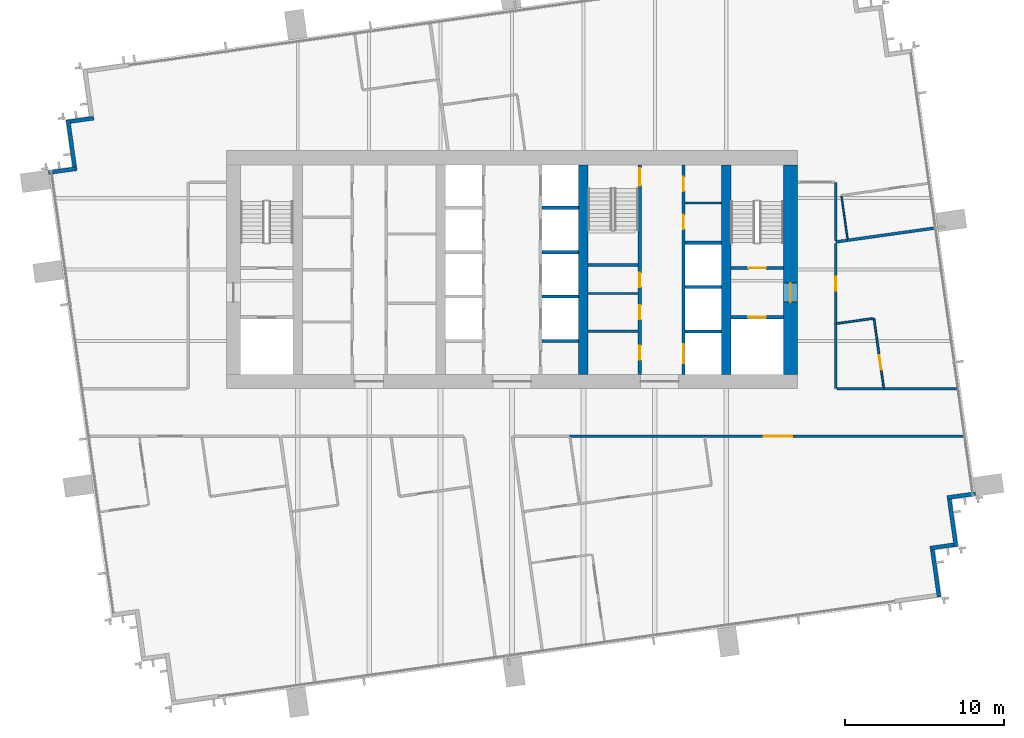
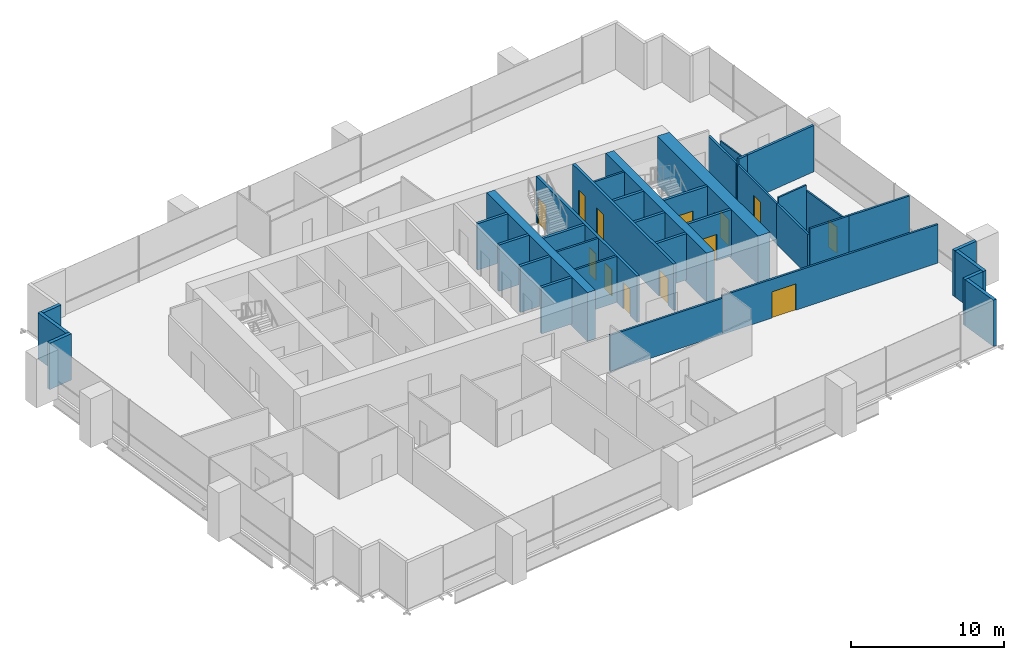
# One storey, part 11 of 14: 37 walls, 13 doors, 13 openings.
"""IFC4 building model written with IfcOpenShell, lengths in metres."""

from ifc_helpers import new_model, si_unit, direction, frame, frame_2d, origin, place, context, subcontext, project, spatial, rectangle, extrude, material, layer, layer_set, type_object, element, fill, save


model = new_model("IFC4")

# Units and contexts
model_context = context("Model", 3, precision=1e-05, world=origin(), true_north=direction((0.0, 1.0)))
body_context = subcontext(model_context, "Body", "Model", "MODEL_VIEW")
ifc_project = project(units=[si_unit("LENGTHUNIT", "METRE"), si_unit("AREAUNIT", "SQUARE_METRE"), si_unit("VOLUMEUNIT", "CUBIC_METRE"), si_unit("PLANEANGLEUNIT", "RADIAN"), si_unit("MASSUNIT", "GRAM", prefix="KILO")], contexts=[model_context])

# Site, building, storey
site_placement = place(None, origin())
site = spatial("IfcSite", under=ifc_project, at=site_placement, CompositionType="ELEMENT")
building_placement = place(site_placement, origin())
building = spatial("IfcBuilding", under=site, at=building_placement, Name="Rattan Terrace Tower", CompositionType="ELEMENT")
storey_placement = place(building_placement, frame((0.0, 0.0, 172.39990234375)))
storey = spatial("IfcBuildingStorey", under=building, at=storey_placement, Name="L39", CompositionType="ELEMENT", Elevation=172.39990234375)

# Walls
ifc_material_1 = material(Name="Gypsum board partition")
ifc_layer_1 = layer(ifc_material_1, 0.14990234375)
ifc_layer_set_1 = layer_set([ifc_layer_1], Name="Core partition 150")
wall_type_1 = type_object("IfcWallType", Name="Core partition 150", PredefinedType="PARTITIONING", material=ifc_layer_set_1)
for number, where, z_axis, x_axis, name in (
    (1, (4.800048828125, -3.8798828125, 0.0), (0.0, 0.0, 1.0), (1.0, 0.0, 0.0), "Toilet wall"),
    (2, (4.800048828125, -1.5, 0.0), (0.0, 0.0, 1.0), (1.0, 0.0, 0.0), "Toilet wall"),
):
    element("IfcWall", number, at=place(storey_placement, frame(where, z_axis=z_axis, x_axis=x_axis)), inside=storey, type_object=wall_type_1, Name=name, PredefinedType="PARTITIONING", context=body_context, shape_type="SweptSolid", body=[
        extrude(rectangle(XDim=3.14990234375, YDim=0.14990234375, at=frame_2d((1.574951171875, 0.0))), origin(), (0.0, 0.0, 1.0), 3.7001953125),
    ])
wall_1_placement = place(storey_placement, frame((10.89990234375, 4.199951171875, 0.0), z_axis=(0.0, 0.0, 1.0), x_axis=(1.0, 0.0, 0.0)))
element("IfcWall", 3, at=wall_1_placement, inside=storey, type_object=wall_type_1, Name="Riser room wall", PredefinedType="PARTITIONING", context=body_context, shape_type="SweptSolid", body=[
    extrude(rectangle(XDim=2.300048828125, YDim=0.14990234375, at=frame_2d((1.14990234375, 0.0))), origin(), (0.0, 0.0, 1.0), 3.7001953125),
])

# Wall, opening, door
ifc_material_2 = material(Name="Gypsum board partition")
ifc_layer_2 = layer(ifc_material_2, 0.199951171875)
ifc_layer_set_2 = layer_set([ifc_layer_2], Name="Core partition 200")
wall_type_2 = type_object("IfcWallType", Name="Core partition 200", PredefinedType="PARTITIONING", material=ifc_layer_set_2)
wall_2_placement = place(storey_placement, frame((13.800048828125, -3.0, 0.0), z_axis=(0.0, 0.0, 1.0), x_axis=(1.0, 0.0, 0.0)))
wall_2 = element("IfcWall", 4, at=wall_2_placement, inside=storey, type_object=wall_type_2, Name="Fire-fighting lobby wall", PredefinedType="PARTITIONING", context=body_context, shape_type="SweptSolid", body=[
    extrude(rectangle(XDim=3.300048828125, YDim=0.199951171875, at=frame_2d((1.64990234375, 0.0))), origin(), (0.0, 0.0, 1.0), 3.7001953125),
])
opening_1_placement = place(wall_2_placement, frame((1.10009765625, 0.0, 0.0)))
opening_1 = element("IfcOpeningElement", 5, at=opening_1_placement, cuts=wall_2, Name="Opening L39-LD-FF2", PredefinedType="OPENING", context=body_context, shape_type="SweptSolid", body=[
    extrude(rectangle(XDim=1.10009765625, YDim=2.10009765625, at=frame_2d((0.550048828125, 1.050048828125))), frame((0.0, 0.110595703125, 0.0), z_axis=(0.0, -1.0, 0.0), x_axis=(1.0, 0.0, 0.0)), (0.0, 0.0, 1.0), 0.220947265625),
])
ifc_material_3 = material(Name="Brushed stainless landing door panel")
door_type_1 = type_object("IfcDoorType", Name="Core lift landing door 1100", OperationType="DOUBLE_DOOR_SLIDING", PredefinedType="DOOR", material=ifc_material_3)
door_1_placement = place(opening_1_placement, origin())
door_1 = element("IfcDoor", 6, at=door_1_placement, inside=storey, type_object=door_type_1, Name="Door L39-LD-FF2", OperationType="DOUBLE_DOOR_SLIDING", OverallHeight=2.10009765625, OverallWidth=1.10009765625, PredefinedType="DOOR", context=body_context, shape_type="SweptSolid", body=[
    extrude(rectangle(XDim=1.10009765625, YDim=2.10009765625, at=frame_2d((0.550048828125, 1.050048828125))), frame((0.0, 0.02490234375, 0.0), z_axis=(0.0, -1.0, 0.0), x_axis=(1.0, 0.0, 0.0)), (0.0, 0.0, 1.0), 0.050048828125),
])
fill(opening_1, door_1)

wall_3_placement = place(storey_placement, frame((13.800048828125, 0.10009765625, 0.0), z_axis=(0.0, 0.0, 1.0), x_axis=(1.0, 0.0, 0.0)))
wall_3 = element("IfcWall", 7, at=wall_3_placement, inside=storey, type_object=wall_type_2, Name="Stair enclosure wall", PredefinedType="PARTITIONING", context=body_context, shape_type="SweptSolid", body=[
    extrude(rectangle(XDim=3.300048828125, YDim=0.199951171875, at=frame_2d((1.64990234375, 0.0))), origin(), (0.0, 0.0, 1.0), 3.7001953125),
])
opening_2_placement = place(wall_3_placement, frame((1.10009765625, 0.0, 0.0)))
opening_2 = element("IfcOpeningElement", 8, at=opening_2_placement, cuts=wall_3, Name="Opening L39-D004", PredefinedType="OPENING", context=body_context, shape_type="SweptSolid", body=[
    extrude(rectangle(XDim=1.10009765625, YDim=2.10009765625, at=frame_2d((0.550048828125, 1.050048828125))), frame((0.0, 0.110595703125, 0.0), z_axis=(0.0, -1.0, 0.0), x_axis=(1.0, 0.0, 0.0)), (0.0, 0.0, 1.0), 0.220947265625),
])
ifc_material_4 = material(Name="Hollow-metal fire door leaf")
door_type_2 = type_object("IfcDoorType", Name="Core stair door 1100", OperationType="NOTDEFINED", PredefinedType="DOOR", material=ifc_material_4)
door_2_placement = place(opening_2_placement, origin())
door_2 = element("IfcDoor", 9, at=door_2_placement, inside=storey, type_object=door_type_2, Name="Door L39-D004", OperationType="SINGLE_SWING_RIGHT", OverallHeight=2.10009765625, OverallWidth=1.10009765625, PredefinedType="DOOR", context=body_context, shape_type="SweptSolid", body=[
    extrude(rectangle(XDim=1.10009765625, YDim=2.10009765625, at=frame_2d((0.550048828125, 1.050048828125))), frame((0.0, 0.02490234375, 0.0), z_axis=(0.0, -1.0, 0.0), x_axis=(1.0, 0.0, 0.0)), (0.0, 0.0, 1.0), 0.050048828125),
])
fill(opening_2, door_2)

# Wall, openings, doors
wall_4_placement = place(storey_placement, frame((8.050048828125, -6.60009765625, 0.0), z_axis=(0.0, 0.0, 1.0), x_axis=(0.0, 1.0, 0.0)))
wall_4 = element("IfcWall", 10, at=wall_4_placement, inside=storey, type_object=wall_type_2, Name="Lobby wall west", PredefinedType="PARTITIONING", context=body_context, shape_type="SweptSolid", body=[
    extrude(rectangle(XDim=13.2001953125, YDim=0.199951171875, at=frame_2d((6.60009765625, 0.0))), origin(), (0.0, 0.0, 1.0), 3.7001953125),
])
opening_3_placement = place(wall_4_placement, frame((0.909912109375, 0.0, 0.0)))
opening_3 = element("IfcOpeningElement", 11, at=opening_3_placement, cuts=wall_4, Name="Opening L39-D016", PredefinedType="OPENING", context=body_context, shape_type="SweptSolid", body=[
    extrude(rectangle(XDim=0.89990234375, YDim=2.10009765625, at=frame_2d((0.449951171875, 1.050048828125))), frame((0.0, 0.110595703125, 0.0), z_axis=(0.0, -1.0, 0.0), x_axis=(1.0, 0.0, 0.0)), (0.0, 0.0, 1.0), 0.220947265625),
])
opening_4_placement = place(wall_4_placement, frame((3.4599609375, 0.0, 0.0)))
opening_4 = element("IfcOpeningElement", 12, at=opening_4_placement, cuts=wall_4, Name="Opening L39-D017", PredefinedType="OPENING", context=body_context, shape_type="SweptSolid", body=[
    extrude(rectangle(XDim=0.89990234375, YDim=2.10009765625, at=frame_2d((0.449951171875, 1.050048828125))), frame((0.0, 0.110595703125, 0.0), z_axis=(0.0, -1.0, 0.0), x_axis=(1.0, 0.0, 0.0)), (0.0, 0.0, 1.0), 0.220947265625),
])
opening_5_placement = place(wall_4_placement, frame((5.5, 0.0, 0.0)))
opening_5 = element("IfcOpeningElement", 13, at=opening_5_placement, cuts=wall_4, Name="Opening L39-D018", PredefinedType="OPENING", context=body_context, shape_type="SweptSolid", body=[
    extrude(rectangle(XDim=0.89990234375, YDim=2.10009765625, at=frame_2d((0.449951171875, 1.050048828125))), frame((0.0, 0.110595703125, 0.0), z_axis=(0.0, -1.0, 0.0), x_axis=(1.0, 0.0, 0.0)), (0.0, 0.0, 1.0), 0.220947265625),
])
opening_6_placement = place(wall_4_placement, frame((11.89990234375, 0.0, 0.0)))
opening_6 = element("IfcOpeningElement", 14, at=opening_6_placement, cuts=wall_4, Name="Opening L39-D019", PredefinedType="OPENING", context=body_context, shape_type="SweptSolid", body=[
    extrude(rectangle(XDim=1.10009765625, YDim=2.10009765625, at=frame_2d((0.550048828125, 1.050048828125))), frame((0.0, 0.110595703125, 0.0), z_axis=(0.0, -1.0, 0.0), x_axis=(1.0, 0.0, 0.0)), (0.0, 0.0, 1.0), 0.220947265625),
])
ifc_material_5 = material(Name="Hollow-metal fire door leaf")
door_type_3 = type_object("IfcDoorType", Name="Core service room door 900", OperationType="NOTDEFINED", PredefinedType="DOOR", material=ifc_material_5)
door_3_placement = place(opening_5_placement, origin())
door_3 = element("IfcDoor", 15, at=door_3_placement, inside=storey, type_object=door_type_3, Name="Door L39-D018", OperationType="SINGLE_SWING_LEFT", OverallHeight=2.10009765625, OverallWidth=0.89990234375, PredefinedType="DOOR", context=body_context, shape_type="SweptSolid", body=[
    extrude(rectangle(XDim=0.89990234375, YDim=2.10009765625, at=frame_2d((0.449951171875, 1.050048828125))), frame((0.0, 0.02490234375, 0.0), z_axis=(0.0, -1.0, 0.0), x_axis=(1.0, 0.0, 0.0)), (0.0, 0.0, 1.0), 0.050048828125),
])
fill(opening_5, door_3)
door_4_placement = place(opening_6_placement, origin())
door_4 = element("IfcDoor", 16, at=door_4_placement, inside=storey, type_object=door_type_2, Name="Door L39-D019", OperationType="SINGLE_SWING_RIGHT", OverallHeight=2.10009765625, OverallWidth=1.10009765625, PredefinedType="DOOR", context=body_context, shape_type="SweptSolid", body=[
    extrude(rectangle(XDim=1.10009765625, YDim=2.10009765625, at=frame_2d((0.550048828125, 1.050048828125))), frame((0.0, 0.02490234375, 0.0), z_axis=(0.0, -1.0, 0.0), x_axis=(1.0, 0.0, 0.0)), (0.0, 0.0, 1.0), 0.050048828125),
])
fill(opening_6, door_4)
ifc_material_6 = material(Name="Hollow-metal fire door leaf")
door_type_4 = type_object("IfcDoorType", Name="Core toilet door 900", OperationType="NOTDEFINED", PredefinedType="DOOR", material=ifc_material_6)
door_5_placement = place(opening_3_placement, origin())
door_5 = element("IfcDoor", 17, at=door_5_placement, inside=storey, type_object=door_type_4, Name="Door L39-D016", OperationType="SINGLE_SWING_LEFT", OverallHeight=2.10009765625, OverallWidth=0.89990234375, PredefinedType="DOOR", context=body_context, shape_type="SweptSolid", body=[
    extrude(rectangle(XDim=0.89990234375, YDim=2.10009765625, at=frame_2d((0.449951171875, 1.050048828125))), frame((0.0, 0.02490234375, 0.0), z_axis=(0.0, -1.0, 0.0), x_axis=(1.0, 0.0, 0.0)), (0.0, 0.0, 1.0), 0.050048828125),
])
fill(opening_3, door_5)
door_6_placement = place(opening_4_placement, origin())
door_6 = element("IfcDoor", 18, at=door_6_placement, inside=storey, type_object=door_type_4, Name="Door L39-D017", OperationType="SINGLE_SWING_RIGHT", OverallHeight=2.10009765625, OverallWidth=0.89990234375, PredefinedType="DOOR", context=body_context, shape_type="SweptSolid", body=[
    extrude(rectangle(XDim=0.89990234375, YDim=2.10009765625, at=frame_2d((0.449951171875, 1.050048828125))), frame((0.0, 0.02490234375, 0.0), z_axis=(0.0, -1.0, 0.0), x_axis=(1.0, 0.0, 0.0)), (0.0, 0.0, 1.0), 0.050048828125),
])
fill(opening_4, door_6)

# Wall
wall_5_placement = place(storey_placement, frame((4.800048828125, 0.300048828125, 0.0), z_axis=(0.0, 0.0, 1.0), x_axis=(1.0, 0.0, 0.0)))
element("IfcWall", 19, at=wall_5_placement, inside=storey, type_object=wall_type_2, Name="Stair enclosure wall", PredefinedType="PARTITIONING", context=body_context, shape_type="SweptSolid", body=[
    extrude(rectangle(XDim=3.14990234375, YDim=0.199951171875, at=frame_2d((1.574951171875, 0.0))), origin(), (0.0, 0.0, 1.0), 3.7001953125),
])

# Wall, opening, door
ifc_material_7 = material(Name="Concrete C60/75", Category="concrete")
ifc_layer_3 = layer(ifc_material_7, 0.89990234375)
ifc_layer_set_3 = layer_set([ifc_layer_3], Name="Core ring wall 900 C60/75")
wall_type_3 = type_object("IfcWallType", Name="Core ring wall 900 C60/75", PredefinedType="SHEAR", material=ifc_layer_set_3)
wall_6_placement = place(storey_placement, frame((17.550048828125, -6.60009765625, -0.199951171875), z_axis=(0.0, 0.0, 1.0), x_axis=(0.0, 1.0, 0.0)))
wall_6 = element("IfcWall", 20, at=wall_6_placement, inside=storey, type_object=wall_type_3, Name="Rear core wall east", PredefinedType="SHEAR", context=body_context, shape_type="SweptSolid", body=[
    extrude(rectangle(XDim=13.2001953125, YDim=0.89990234375, at=frame_2d((6.60009765625, 0.0))), origin(), (0.0, 0.0, 1.0), 3.900146484375),
])
opening_7_placement = place(wall_6_placement, frame((4.550048828125, 0.0, 0.199951171875)))
opening_7 = element("IfcOpeningElement", 21, at=opening_7_placement, cuts=wall_6, Name="Opening L39-D003", PredefinedType="OPENING", context=body_context, shape_type="SweptSolid", body=[
    extrude(rectangle(XDim=1.199951171875, YDim=2.10009765625, at=frame_2d((0.60009765625, 1.050048828125))), frame((0.0, 0.46044921875, 0.0), z_axis=(0.0, -1.0, 0.0), x_axis=(1.0, 0.0, 0.0)), (0.0, 0.0, 1.0), 0.9208984375),
])
ifc_material_8 = material(Name="Hollow-metal fire door leaf")
door_type_5 = type_object("IfcDoorType", Name="Core fire-fighting lobby door 1200", OperationType="NOTDEFINED", PredefinedType="DOOR", material=ifc_material_8)
door_7_placement = place(opening_7_placement, origin())
door_7 = element("IfcDoor", 22, at=door_7_placement, inside=storey, type_object=door_type_5, Name="Door L39-D003", OperationType="SINGLE_SWING_LEFT", OverallHeight=2.10009765625, OverallWidth=1.199951171875, PredefinedType="DOOR", context=body_context, shape_type="SweptSolid", body=[
    extrude(rectangle(XDim=1.199951171875, YDim=2.10009765625, at=frame_2d((0.60009765625, 1.050048828125))), frame((0.0, 0.02490234375, 0.0), z_axis=(0.0, -1.0, 0.0), x_axis=(1.0, 0.0, 0.0)), (0.0, 0.0, 1.0), 0.050048828125),
])
fill(opening_7, door_7)

# Walls
ifc_material_9 = material(Name="Concrete C60/75", Category="concrete")
ifc_layer_4 = layer(ifc_material_9, 0.60009765625)
ifc_layer_set_4 = layer_set([ifc_layer_4], Name="Core spine wall 600 C60/75")
wall_type_4 = type_object("IfcWallType", Name="Core spine wall 600 C60/75", PredefinedType="SHEAR", material=ifc_layer_set_4)
for number, where, z_axis, x_axis, name in (
    (23, (4.5, -6.60009765625, -0.199951171875), (0.0, 0.0, 1.0), (0.0, 1.0, 0.0), "Core spine wall 3"),
    (24, (13.5, -6.60009765625, -0.199951171875), (0.0, 0.0, 1.0), (0.0, 1.0, 0.0), "Core spine wall 4"),
):
    element("IfcWall", number, at=place(storey_placement, frame(where, z_axis=z_axis, x_axis=x_axis)), inside=storey, type_object=wall_type_4, Name=name, PredefinedType="SHEAR", context=body_context, shape_type="SweptSolid", body=[
        extrude(rectangle(XDim=13.2001953125, YDim=0.60009765625, at=frame_2d((6.60009765625, 0.0))), origin(), (0.0, 0.0, 1.0), 3.900146484375),
    ])
ifc_material_10 = material(Name="Insulated aluminium-clad stud wall", Category="aluminium")
ifc_layer_5 = layer(ifc_material_10, 0.25)
ifc_layer_set_5 = layer_set([ifc_layer_5], Name="Facade Riser Wall 250")
wall_type_5 = type_object("IfcWallType", Name="Facade Riser Wall 250", PredefinedType="SOLIDWALL", material=ifc_layer_set_5)
wall_7_placement = place(storey_placement, frame((26.9052734375, -20.6220703125, 0.0), z_axis=(0.0, 0.0, 1.0), x_axis=(-0.139313431826, 0.990248336385, 0.0)))
element("IfcWall", 25, at=wall_7_placement, inside=storey, type_object=wall_type_5, Name="Riser wall L39-2", PredefinedType="SOLIDWALL", context=body_context, shape_type="SweptSolid", body=[
    extrude(rectangle(XDim=3.000244140625, YDim=0.25, at=frame_2d((1.5, 0.0))), origin(), (0.0, 0.0, 1.0), 3.7001953125),
])
wall_8_placement = place(storey_placement, frame((26.34619140625, -17.54443359375, 0.0), z_axis=(0.0, 0.0, 1.0), x_axis=(0.990368090482, 0.13845954411, 0.0)))
element("IfcWall", 26, at=wall_8_placement, inside=storey, type_object=wall_type_5, Name="Riser wall L39-3", PredefinedType="SOLIDWALL", context=body_context, shape_type="SweptSolid", body=[
    extrude(rectangle(XDim=1.50048828125, YDim=0.25, at=frame_2d((0.750244140625, 0.0))), origin(), (0.0, 0.0, 1.0), 3.7001953125),
])
wall_9_placement = place(storey_placement, frame((27.973388671875, -17.443115234375, 0.0), z_axis=(0.0, 0.0, 1.0), x_axis=(-0.139313431826, 0.990248336385, 0.0)))
element("IfcWall", 27, at=wall_9_placement, inside=storey, type_object=wall_type_5, Name="Riser wall L39-4", PredefinedType="SOLIDWALL", context=body_context, shape_type="SweptSolid", body=[
    extrude(rectangle(XDim=3.000244140625, YDim=0.25, at=frame_2d((1.5, 0.0))), origin(), (0.0, 0.0, 1.0), 3.7001953125),
])
wall_10_placement = place(storey_placement, frame((27.414306640625, -14.36572265625, 0.0), z_axis=(0.0, 0.0, 1.0), x_axis=(0.990256286673, 0.139256908998, 0.0)))
element("IfcWall", 28, at=wall_10_placement, inside=storey, type_object=wall_type_5, Name="Riser wall L39-5", PredefinedType="SOLIDWALL", context=body_context, shape_type="SweptSolid", body=[
    extrude(rectangle(XDim=1.800537109375, YDim=0.25, at=frame_2d((0.900390625, 0.0))), origin(), (0.0, 0.0, 1.0), 3.7001953125),
])
wall_11_placement = place(storey_placement, frame((-26.34619140625, 9.54443359375, 0.0), z_axis=(0.0, 0.0, 1.0), x_axis=(-0.990368090482, -0.13845954411, 0.0)))
element("IfcWall", 29, at=wall_11_placement, inside=storey, type_object=wall_type_5, Name="Riser wall L39-13", PredefinedType="SOLIDWALL", context=body_context, shape_type="SweptSolid", body=[
    extrude(rectangle(XDim=1.50048828125, YDim=0.25, at=frame_2d((0.750244140625, 0.0))), origin(), (0.0, 0.0, 1.0), 3.7001953125),
])
wall_12_placement = place(storey_placement, frame((-27.973388671875, 9.443115234375, 0.0), z_axis=(0.0, 0.0, 1.0), x_axis=(0.139313431826, -0.990248336385, 0.0)))
element("IfcWall", 30, at=wall_12_placement, inside=storey, type_object=wall_type_5, Name="Riser wall L39-14", PredefinedType="SOLIDWALL", context=body_context, shape_type="SweptSolid", body=[
    extrude(rectangle(XDim=3.000244140625, YDim=0.25, at=frame_2d((1.5, 0.0))), origin(), (0.0, 0.0, 1.0), 3.7001953125),
])
wall_13_placement = place(storey_placement, frame((-27.414306640625, 6.36572265625, 0.0), z_axis=(0.0, 0.0, 1.0), x_axis=(-0.990256286673, -0.139256908998, 0.0)))
element("IfcWall", 31, at=wall_13_placement, inside=storey, type_object=wall_type_5, Name="Riser wall L39-15", PredefinedType="SOLIDWALL", context=body_context, shape_type="SweptSolid", body=[
    extrude(rectangle(XDim=1.800537109375, YDim=0.25, at=frame_2d((0.900390625, 0.0))), origin(), (0.0, 0.0, 1.0), 3.7001953125),
])
ifc_material_11 = material(Name="Double steel stud acoustic partition, gypsum board, mineral wool, fire rated", Category="steel")
ifc_layer_6 = layer(ifc_material_11, 0.179931640625)
ifc_layer_set_6 = layer_set([ifc_layer_6], Name="Floors Acoustic Party Wall 180")
wall_type_6 = type_object("IfcWallType", Name="Floors Acoustic Party Wall 180", PredefinedType="PARTITIONING", material=ifc_layer_set_6)
wall_14_placement = place(storey_placement, frame((20.39892578125, 1.7451171875, 0.0), z_axis=(0.0, 0.0, 1.0), x_axis=(0.990315465901, 0.138835434947, 0.0)))
element("IfcWall", 32, at=wall_14_placement, inside=storey, type_object=wall_type_6, Name="pt-L39-048", PredefinedType="PARTITIONING", context=body_context, shape_type="SweptSolid", body=[
    extrude(rectangle(XDim=0.740234375, YDim=0.179931640625, at=frame_2d((0.3701171875, 0.0))), origin(), (0.0, 0.0, 1.0), 3.7001953125),
])
wall_15_placement = place(storey_placement, frame((21.132080078125, 1.847900390625, 0.0), z_axis=(0.0, 0.0, 1.0), x_axis=(0.990277893792, 0.139103174181, 0.0)))
element("IfcWall", 33, at=wall_15_placement, inside=storey, type_object=wall_type_6, Name="pt-L39-049", PredefinedType="PARTITIONING", context=body_context, shape_type="SweptSolid", body=[
    extrude(rectangle(XDim=5.50048828125, YDim=0.179931640625, at=frame_2d((2.750244140625, 0.0))), origin(), (0.0, 0.0, 1.0), 3.7001953125),
])
ifc_material_12 = material(Name="Gypsum board partition on steel studs", Category="steel")
ifc_layer_7 = layer(ifc_material_12, 0.10009765625)
ifc_layer_set_7 = layer_set([ifc_layer_7], Name="Floors Partition 100")
wall_type_7 = type_object("IfcWallType", Name="Floors Partition 100", PredefinedType="PARTITIONING", material=ifc_layer_set_7)
wall_16_placement = place(storey_placement, frame((20.761962890625, 4.623046875, 0.0), z_axis=(0.0, 0.0, 1.0), x_axis=(0.139125052108, -0.990274820379, 0.0)))
element("IfcWall", 34, at=wall_16_placement, inside=storey, type_object=wall_type_7, Name="pt-L39-050", PredefinedType="PARTITIONING", context=body_context, shape_type="SweptSolid", body=[
    extrude(rectangle(XDim=2.70947265625, YDim=0.10009765625, at=frame_2d((1.354736328125, 0.0))), origin(), (0.0, 0.0, 1.0), 3.25),
])

# Wall, opening, door
ifc_material_13 = material(Name="Gypsum board partition on steel studs, fire rated", Category="steel")
ifc_layer_8 = layer(ifc_material_13, 0.14990234375)
ifc_layer_set_8 = layer_set([ifc_layer_8], Name="Floors Tenancy Wall 150")
wall_type_8 = type_object("IfcWallType", Name="Floors Tenancy Wall 150", PredefinedType="PARTITIONING", material=ifc_layer_set_8)
wall_17_placement = place(storey_placement, frame((28.4208984375, -10.5, 0.0), z_axis=(0.0, 0.0, 1.0), x_axis=(-1.0, 0.0, 0.0)))
wall_17 = element("IfcWall", 35, at=wall_17_placement, inside=storey, type_object=wall_type_8, Name="pt-L39-010", PredefinedType="PARTITIONING", context=body_context, shape_type="SweptSolid", body=[
    extrude(rectangle(XDim=16.307861328125, YDim=0.14990234375, at=frame_2d((8.15380859375, 0.0))), origin(), (0.0, 0.0, 1.0), 3.10009765625),
])
opening_8_placement = place(wall_17_placement, frame((10.756103515625, 0.0, 0.0)))
opening_8 = element("IfcOpeningElement", 36, at=opening_8_placement, cuts=wall_17, Name="Opening L39-D106", PredefinedType="OPENING", context=body_context, shape_type="SweptSolid", body=[
    extrude(rectangle(XDim=1.800048828125, YDim=2.10009765625, at=frame_2d((0.89990234375, 1.050048828125))), frame((0.0, 0.08544921875, 0.0), z_axis=(0.0, -1.0, 0.0), x_axis=(1.0, 0.0, 0.0)), (0.0, 0.0, 1.0), 0.1708984375),
])
ifc_material_14 = material(Name="Steel fire door set", Category="steel")
door_type_6 = type_object("IfcDoorType", Name="Floors Fire Door Pair FD30S 1800x2100", OperationType="NOTDEFINED", PredefinedType="DOOR", material=ifc_material_14)
door_8_placement = place(opening_8_placement, origin())
door_8 = element("IfcDoor", 37, at=door_8_placement, inside=storey, type_object=door_type_6, Name="d-L39-106", OperationType="DOUBLE_DOOR_SINGLE_SWING", OverallHeight=2.10009765625, OverallWidth=1.800048828125, PredefinedType="DOOR", context=body_context, shape_type="SweptSolid", body=[
    extrude(rectangle(XDim=1.800048828125, YDim=2.10009765625, at=frame_2d((0.89990234375, 1.050048828125))), frame((0.0, 0.02490234375, 0.0), z_axis=(0.0, -1.0, 0.0), x_axis=(1.0, 0.0, 0.0)), (0.0, 0.0, 1.0), 0.050048828125),
])
fill(opening_8, door_8)

# Wall
wall_18_placement = place(storey_placement, frame((12.113037109375, -10.5, 0.0), z_axis=(0.0, 0.0, 1.0), x_axis=(-1.0, 0.0, 0.0)))
element("IfcWall", 38, at=wall_18_placement, inside=storey, type_object=wall_type_8, Name="pt-L39-014", PredefinedType="PARTITIONING", context=body_context, shape_type="SweptSolid", body=[
    extrude(rectangle(XDim=8.483154296875, YDim=0.14990234375, at=frame_2d((4.24169921875, 0.0))), origin(), (0.0, 0.0, 1.0), 2.900146484375),
])

# Wall, opening, door
wall_19_placement = place(storey_placement, frame((20.39990234375, 1.656005859375, 0.0), z_axis=(0.0, 0.0, 1.0), x_axis=(0.0, -1.0, 0.0)))
wall_19 = element("IfcWall", 39, at=wall_19_placement, inside=storey, type_object=wall_type_8, Name="pt-L39-018", PredefinedType="PARTITIONING", context=body_context, shape_type="SweptSolid", body=[
    extrude(rectangle(XDim=5.0810546875, YDim=0.14990234375, at=frame_2d((2.54052734375, 0.0))), origin(), (0.0, 0.0, 1.0), 3.25),
])
opening_9_placement = place(wall_19_placement, frame((2.090087890625, 0.0, 0.0)))
opening_9 = element("IfcOpeningElement", 40, at=opening_9_placement, cuts=wall_19, Name="Opening L39-D112", PredefinedType="OPENING", context=body_context, shape_type="SweptSolid", body=[
    extrude(rectangle(XDim=0.89990234375, YDim=2.10009765625, at=frame_2d((0.449951171875, 1.050048828125))), frame((0.0, 0.08544921875, 0.0), z_axis=(0.0, -1.0, 0.0), x_axis=(1.0, 0.0, 0.0)), (0.0, 0.0, 1.0), 0.1708984375),
])
ifc_material_15 = material(Name="Steel fire door set", Category="steel")
door_type_7 = type_object("IfcDoorType", Name="Floors Fire Door FD30S 900x2100", OperationType="NOTDEFINED", PredefinedType="DOOR", material=ifc_material_15)
door_9_placement = place(opening_9_placement, origin())
door_9 = element("IfcDoor", 41, at=door_9_placement, inside=storey, type_object=door_type_7, Name="d-L39-112", OperationType="SINGLE_SWING_LEFT", OverallHeight=2.10009765625, OverallWidth=0.89990234375, PredefinedType="DOOR", context=body_context, shape_type="SweptSolid", body=[
    extrude(rectangle(XDim=0.89990234375, YDim=2.10009765625, at=frame_2d((0.449951171875, 1.050048828125))), frame((0.0, 0.02490234375, 0.0), z_axis=(0.0, -1.0, 0.0), x_axis=(1.0, 0.0, 0.0)), (0.0, 0.0, 1.0), 0.050048828125),
])
fill(opening_9, door_9)

# Walls
wall_20_placement = place(storey_placement, frame((23.408935546875, -7.5, 0.0), z_axis=(0.0, 0.0, 1.0), x_axis=(1.0, 0.0, 0.0)))
element("IfcWall", 42, at=wall_20_placement, inside=storey, type_object=wall_type_8, Name="pt-L39-019", PredefinedType="PARTITIONING", context=body_context, shape_type="SweptSolid", body=[
    extrude(rectangle(XDim=4.590087890625, YDim=0.14990234375, at=frame_2d((2.294921875, 0.0))), origin(), (0.0, 0.0, 1.0), 3.7001953125),
])
wall_21_placement = place(storey_placement, frame((20.39990234375, -3.425048828125, 0.0), z_axis=(0.0, 0.0, 1.0), x_axis=(0.0, -1.0, 0.0)))
element("IfcWall", 43, at=wall_21_placement, inside=storey, type_object=wall_type_8, Name="pt-L39-020", PredefinedType="PARTITIONING", context=body_context, shape_type="SweptSolid", body=[
    extrude(rectangle(XDim=4.074951171875, YDim=0.14990234375, at=frame_2d((2.03759765625, 0.0))), origin(), (0.0, 0.0, 1.0), 3.25),
])
wall_22_placement = place(storey_placement, frame((20.47509765625, -7.5, 0.0), z_axis=(0.0, 0.0, 1.0), x_axis=(1.0, 0.0, 0.0)))
element("IfcWall", 44, at=wall_22_placement, inside=storey, type_object=wall_type_8, Name="pt-L39-021", PredefinedType="PARTITIONING", context=body_context, shape_type="SweptSolid", body=[
    extrude(rectangle(XDim=2.933837890625, YDim=0.14990234375, at=frame_2d((1.466796875, 0.0))), origin(), (0.0, 0.0, 1.0), 3.7001953125),
])
wall_23_placement = place(storey_placement, frame((20.39990234375, 5.5, 0.0), z_axis=(0.0, 0.0, 1.0), x_axis=(0.0, -1.0, 0.0)))
element("IfcWall", 45, at=wall_23_placement, inside=storey, type_object=wall_type_8, Name="pt-L39-023", PredefinedType="PARTITIONING", context=body_context, shape_type="SweptSolid", body=[
    extrude(rectangle(XDim=3.654052734375, YDim=0.14990234375, at=frame_2d((1.8271484375, 0.0))), origin(), (0.0, 0.0, 1.0), 3.25),
])
ifc_material_16 = material(Name="Moisture resistant gypsum board partition on steel studs with service cavity", Category="steel")
ifc_layer_9 = layer(ifc_material_16, 0.1201171875)
ifc_layer_set_9 = layer_set([ifc_layer_9], Name="Floors Wet Wall 120")
wall_type_9 = type_object("IfcWallType", Name="Floors Wet Wall 120", PredefinedType="PARTITIONING", material=ifc_layer_set_9)
wall_24_placement = place(storey_placement, frame((22.7470703125, -3.074951171875, 0.0), z_axis=(0.0, 0.0, 1.0), x_axis=(-0.990231660618, -0.139431912808, 0.0)))
element("IfcWall", 46, at=wall_24_placement, inside=storey, type_object=wall_type_9, Name="pt-L39-046", PredefinedType="PARTITIONING", context=body_context, shape_type="SweptSolid", body=[
    extrude(rectangle(XDim=2.302490234375, YDim=0.1201171875, at=frame_2d((1.1513671875, 0.0))), origin(), (0.0, 0.0, 1.0), 3.7001953125),
])

# Wall, opening, door
wall_25_placement = place(storey_placement, frame((23.419921875, -7.43310546875, 0.0), z_axis=(0.0, 0.0, 1.0), x_axis=(-0.13925822498, 0.99025610161, 0.0)))
wall_25 = element("IfcWall", 47, at=wall_25_placement, inside=storey, type_object=wall_type_9, Name="pt-L39-047", PredefinedType="PARTITIONING", context=body_context, shape_type="SweptSolid", body=[
    extrude(rectangle(XDim=4.4091796875, YDim=0.1201171875, at=frame_2d((2.20458984375, 0.0))), origin(), (0.0, 0.0, 1.0), 3.25),
])
opening_10_placement = place(wall_25_placement, frame((1.153076171875, 0.0, 0.0)))
opening_10 = element("IfcOpeningElement", 48, at=opening_10_placement, cuts=wall_25, Name="Opening L39-D113", PredefinedType="OPENING", context=body_context, shape_type="SweptSolid", body=[
    extrude(rectangle(XDim=0.89990234375, YDim=2.10009765625, at=frame_2d((0.449951171875, 1.050048828125))), frame((0.0, 0.070556640625, 0.0), z_axis=(0.0, -1.0, 0.0), x_axis=(1.0, 0.0, 0.0)), (0.0, 0.0, 1.0), 0.14111328125),
])
ifc_material_17 = material(Name="Solid core timber door, painted", Category="wood")
door_type_8 = type_object("IfcDoorType", Name="Floors Door 900x2100", OperationType="NOTDEFINED", PredefinedType="DOOR", material=ifc_material_17)
door_10_placement = place(opening_10_placement, origin())
door_10 = element("IfcDoor", 49, at=door_10_placement, inside=storey, type_object=door_type_8, Name="d-L39-113", OperationType="SINGLE_SWING_LEFT", OverallHeight=2.10009765625, OverallWidth=0.89990234375, PredefinedType="DOOR", context=body_context, shape_type="SweptSolid", body=[
    extrude(rectangle(XDim=0.89990234375, YDim=2.10009765625, at=frame_2d((0.449951171875, 1.050048828125))), frame((0.0, 0.02490234375, 0.0), z_axis=(0.0, -1.0, 0.0), x_axis=(1.0, 0.0, 0.0)), (0.0, 0.0, 1.0), 0.050048828125),
])
fill(opening_10, door_10)

# Walls
ifc_material_18 = material(Name="Gypsum shaft wall system")
ifc_layer_10 = layer(ifc_material_18, 0.199951171875)
ifc_layer_set_10 = layer_set([ifc_layer_10], Name="Lift shaft wall 200")
wall_type_10 = type_object("IfcWallType", Name="Lift shaft wall 200", PredefinedType="PARTITIONING", material=ifc_layer_set_10)
for number, where, z_axis, x_axis, name in (
    (50, (1.89990234375, -1.699951171875, 0.0), (0.0, 0.0, 1.0), (1.0, 0.0, 0.0), "Lift shaft wall"),
    (51, (1.89990234375, 1.10009765625, 0.0), (0.0, 0.0, 1.0), (1.0, 0.0, 0.0), "Lift shaft wall"),
    (52, (1.89990234375, 3.89990234375, 0.0), (0.0, 0.0, 1.0), (1.0, 0.0, 0.0), "Lift shaft wall"),
    (53, (1.89990234375, -4.5, 0.0), (0.0, 0.0, 1.0), (1.0, 0.0, 0.0), "Lift shaft wall"),
):
    element("IfcWall", number, at=place(storey_placement, frame(where, z_axis=z_axis, x_axis=x_axis)), inside=storey, type_object=wall_type_10, Name=name, PredefinedType="PARTITIONING", context=body_context, shape_type="SweptSolid", body=[
        extrude(rectangle(XDim=2.300048828125, YDim=0.199951171875, at=frame_2d((1.14990234375, 0.0))), origin(), (0.0, 0.0, 1.0), 3.7001953125),
    ])

# Wall, openings, doors
wall_26_placement = place(storey_placement, frame((10.800048828125, -6.60009765625, 0.0), z_axis=(0.0, 0.0, 1.0), x_axis=(0.0, 1.0, 0.0)))
wall_26 = element("IfcWall", 54, at=wall_26_placement, inside=storey, type_object=wall_type_10, Name="Lift shaft front wall", PredefinedType="PARTITIONING", context=body_context, shape_type="SweptSolid", body=[
    extrude(rectangle(XDim=13.2001953125, YDim=0.199951171875, at=frame_2d((6.60009765625, 0.0))), origin(), (0.0, 0.0, 1.0), 3.7001953125),
])
opening_11_placement = place(wall_26_placement, frame((0.699951171875, 0.0, 0.0)))
opening_11 = element("IfcOpeningElement", 55, at=opening_11_placement, cuts=wall_26, Name="Opening L39-LD-SV1", PredefinedType="OPENING", context=body_context, shape_type="SweptSolid", body=[
    extrude(rectangle(XDim=1.199951171875, YDim=2.10009765625, at=frame_2d((0.60009765625, 1.050048828125))), frame((0.0, 0.110595703125, 0.0), z_axis=(0.0, -1.0, 0.0), x_axis=(1.0, 0.0, 0.0)), (0.0, 0.0, 1.0), 0.220947265625),
])
opening_12_placement = place(wall_26_placement, frame((9.14990234375, 0.0, 0.0)))
opening_12 = element("IfcOpeningElement", 56, at=opening_12_placement, cuts=wall_26, Name="Opening L39-D021", PredefinedType="OPENING", context=body_context, shape_type="SweptSolid", body=[
    extrude(rectangle(XDim=0.89990234375, YDim=2.10009765625, at=frame_2d((0.449951171875, 1.050048828125))), frame((0.0, 0.110595703125, 0.0), z_axis=(0.0, -1.0, 0.0), x_axis=(1.0, 0.0, 0.0)), (0.0, 0.0, 1.0), 0.220947265625),
])
opening_13_placement = place(wall_26_placement, frame((11.550048828125, 0.0, 0.0)))
opening_13 = element("IfcOpeningElement", 57, at=opening_13_placement, cuts=wall_26, Name="Opening L39-D022", PredefinedType="OPENING", context=body_context, shape_type="SweptSolid", body=[
    extrude(rectangle(XDim=0.89990234375, YDim=2.10009765625, at=frame_2d((0.449951171875, 1.050048828125))), frame((0.0, 0.110595703125, 0.0), z_axis=(0.0, -1.0, 0.0), x_axis=(1.0, 0.0, 0.0)), (0.0, 0.0, 1.0), 0.220947265625),
])
ifc_material_19 = material(Name="Brushed stainless landing door panel")
door_type_9 = type_object("IfcDoorType", Name="Core lift landing door 1200", OperationType="DOUBLE_DOOR_SLIDING", PredefinedType="DOOR", material=ifc_material_19)
door_11_placement = place(opening_11_placement, origin())
door_11 = element("IfcDoor", 58, at=door_11_placement, inside=storey, type_object=door_type_9, Name="Door L39-LD-SV1", OperationType="DOUBLE_DOOR_SLIDING", OverallHeight=2.10009765625, OverallWidth=1.199951171875, PredefinedType="DOOR", context=body_context, shape_type="SweptSolid", body=[
    extrude(rectangle(XDim=1.199951171875, YDim=2.10009765625, at=frame_2d((0.60009765625, 1.050048828125))), frame((0.0, 0.02490234375, 0.0), z_axis=(0.0, -1.0, 0.0), x_axis=(1.0, 0.0, 0.0)), (0.0, 0.0, 1.0), 0.050048828125),
])
fill(opening_11, door_11)
ifc_material_20 = material(Name="Hollow-metal fire door leaf")
door_type_10 = type_object("IfcDoorType", Name="Core riser door 900", OperationType="NOTDEFINED", PredefinedType="DOOR", material=ifc_material_20)
door_12_placement = place(opening_12_placement, origin())
door_12 = element("IfcDoor", 59, at=door_12_placement, inside=storey, type_object=door_type_10, Name="Door L39-D021", OperationType="SINGLE_SWING_LEFT", OverallHeight=2.10009765625, OverallWidth=0.89990234375, PredefinedType="DOOR", context=body_context, shape_type="SweptSolid", body=[
    extrude(rectangle(XDim=0.89990234375, YDim=2.10009765625, at=frame_2d((0.449951171875, 1.050048828125))), frame((0.0, 0.02490234375, 0.0), z_axis=(0.0, -1.0, 0.0), x_axis=(1.0, 0.0, 0.0)), (0.0, 0.0, 1.0), 0.050048828125),
])
fill(opening_12, door_12)
door_13_placement = place(opening_13_placement, origin())
door_13 = element("IfcDoor", 60, at=door_13_placement, inside=storey, type_object=door_type_10, Name="Door L39-D022", OperationType="SINGLE_SWING_RIGHT", OverallHeight=2.10009765625, OverallWidth=0.89990234375, PredefinedType="DOOR", context=body_context, shape_type="SweptSolid", body=[
    extrude(rectangle(XDim=0.89990234375, YDim=2.10009765625, at=frame_2d((0.449951171875, 1.050048828125))), frame((0.0, 0.02490234375, 0.0), z_axis=(0.0, -1.0, 0.0), x_axis=(1.0, 0.0, 0.0)), (0.0, 0.0, 1.0), 0.050048828125),
])
fill(opening_13, door_13)

# Walls
for number, where, z_axis, x_axis, name in (
    (61, (10.89990234375, -3.89990234375, 0.0), (0.0, 0.0, 1.0), (1.0, 0.0, 0.0), "Lift shaft wall"),
    (62, (10.89990234375, -1.10009765625, 0.0), (0.0, 0.0, 1.0), (1.0, 0.0, 0.0), "Lift shaft wall"),
    (63, (10.89990234375, 1.699951171875, 0.0), (0.0, 0.0, 1.0), (1.0, 0.0, 0.0), "Lift shaft wall"),
):
    element("IfcWall", number, at=place(storey_placement, frame(where, z_axis=z_axis, x_axis=x_axis)), inside=storey, type_object=wall_type_10, Name=name, PredefinedType="PARTITIONING", context=body_context, shape_type="SweptSolid", body=[
        extrude(rectangle(XDim=2.300048828125, YDim=0.199951171875, at=frame_2d((1.14990234375, 0.0))), origin(), (0.0, 0.0, 1.0), 3.7001953125),
    ])

save(model, "model.ifc")
